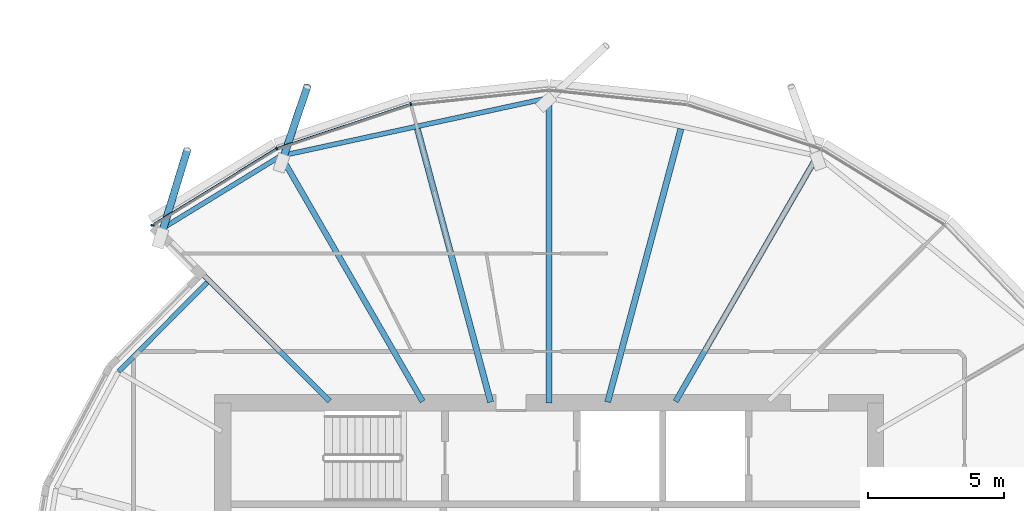
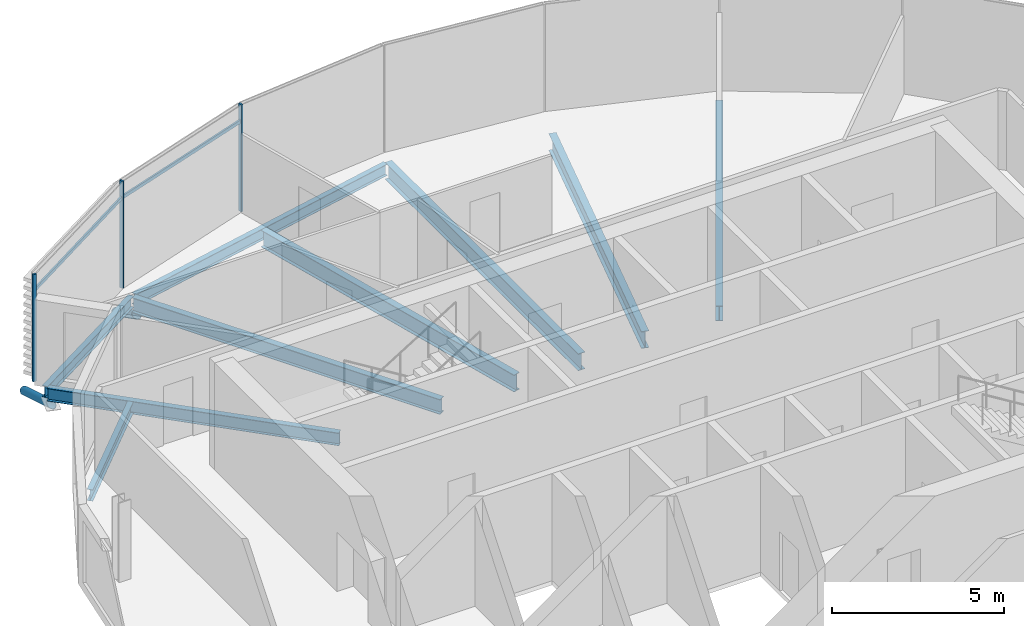
# One storey, part 10 of 36: 9 beams, 7 members, 1 element without a shape of its own.
"""IFC4 building model written with IfcOpenShell, lengths in metres."""

from ifc_helpers import new_model, si_unit, direction, frame, origin, origin_2d, place, context, subcontext, project, spatial, rectangle, hollow_circle, i_section, extrude, clip, halfspace, material, material_profile, profile_set, type_object, element, aggregate, save


model = new_model("IFC4")

# Units and contexts
model_context = context("Model", 3, precision=1e-05, world=origin(), true_north=direction((0.0, 1.0)))
body_context = subcontext(model_context, "Body", "Model", "MODEL_VIEW")
ifc_project = project(units=[si_unit("LENGTHUNIT", "METRE"), si_unit("AREAUNIT", "SQUARE_METRE"), si_unit("VOLUMEUNIT", "CUBIC_METRE"), si_unit("PLANEANGLEUNIT", "RADIAN"), si_unit("MASSUNIT", "GRAM", prefix="KILO")], contexts=[model_context])

# Site, building, storey
site_placement = place(None, origin())
site = spatial("IfcSite", under=ifc_project, at=site_placement, CompositionType="ELEMENT")
building_placement = place(site_placement, origin())
building = spatial("IfcBuilding", under=site, at=building_placement, Name="Rimbun Link Towers", CompositionType="ELEMENT")
storey_placement = place(building_placement, frame((0.0, 0.0, 189.300048828125)))
storey = spatial("IfcBuildingStorey", under=building, at=storey_placement, Name="L46", CompositionType="ELEMENT", Elevation=189.300048828125)

# Curtain wall, members
ifc_material_1 = material(Name="Aluminium 6063-T6 and low-iron glass", Category="aluminium")
curtain_wall_type = type_object("IfcCurtainWallType", Name="CW1-Z3 unitised vision wall (zone 3)", PredefinedType="NOTDEFINED", material=ifc_material_1)
curtain_wall_placement = place(storey_placement, origin())
curtain_wall = element("IfcCurtainWall", 1, at=curtain_wall_placement, inside=storey, type_object=curtain_wall_type, Name="CW1 L46 T1", PredefinedType="NOTDEFINED")
ifc_material_2 = material(Name="Aluminium 6063-T6", Category="aluminium")
ifc_material_profile_1 = material_profile(ifc_material_2, rectangle(XDim=0.1201171875, YDim=0.06005859375, at=origin_2d()), Name="MULLION 60X120")
ifc_profile_set_1 = profile_set([ifc_material_profile_1], Name="Aluminium 6063-T6")
member_type_1 = type_object("IfcMemberType", Name="CW1 mullion 60X120", PredefinedType="MULLION", material=ifc_profile_set_1)
member_1_placement = place(storey_placement, frame((-36.835205078125, 18.989501953125, 0.0), z_axis=(0.0, 0.0, 1.0), x_axis=(-0.210876961602, 0.977512612228, 0.0)))
member_1 = element("IfcMember", 2, at=member_1_placement, type_object=member_type_1, Name="CW1 mullion", PredefinedType="MULLION", context=body_context, shape_type="SweptSolid", body=[
    extrude(rectangle(XDim=0.1201171875, YDim=0.06005859375, at=origin_2d()), origin(), (0.0, 0.0, 1.0), 3.800048828125),
])
member_2_placement = place(storey_placement, frame((-41.764404296875, 17.35595703125, 0.0), z_axis=(0.0, 0.0, 1.0), x_axis=(-0.421700764408, 0.90673505794, 0.0)))
member_2 = element("IfcMember", 3, at=member_2_placement, type_object=member_type_1, Name="CW1 mullion", PredefinedType="MULLION", context=body_context, shape_type="SweptSolid", body=[
    extrude(rectangle(XDim=0.1201171875, YDim=0.06005859375, at=origin_2d()), origin(), (0.0, 0.0, 1.0), 3.800048828125),
])
member_3_placement = place(storey_placement, frame((-46.329345703125, 14.52685546875, 0.0), z_axis=(0.0, 0.0, 1.0), x_axis=(-0.993119103742, 0.117108692178, 0.0)))
member_3 = element("IfcMember", 4, at=member_3_placement, type_object=member_type_1, Name="CW1 mullion", PredefinedType="MULLION", context=body_context, shape_type="SweptSolid", body=[
    extrude(rectangle(XDim=0.1201171875, YDim=0.06005859375, at=origin_2d()), origin(), (0.0, 0.0, 1.0), 3.800048828125),
])
ifc_material_3 = material(Name="Aluminium 6063-T6", Category="aluminium")
ifc_material_profile_2 = material_profile(ifc_material_3, rectangle(XDim=0.06005859375, YDim=0.1201171875, at=origin_2d()), Name="TRANSOM 60X120")
ifc_profile_set_2 = profile_set([ifc_material_profile_2], Name="Aluminium 6063-T6")
member_type_2 = type_object("IfcMemberType", Name="CW1 transom 60X120", PredefinedType="USERDEFINED", material=ifc_profile_set_2)
member_4_placement = place(storey_placement, frame((-41.728759765625, 17.3662109375, 3.199951171875), z_axis=(0.949239776914, 0.31455340711, 0.0), x_axis=(-0.31455340711, 0.949239776914, 0.0)))
member_4 = element("IfcMember", 5, at=member_4_placement, type_object=member_type_2, Name="CW1 transom", ObjectType="TRANSOM", PredefinedType="USERDEFINED", context=body_context, shape_type="SweptSolid", body=[
    extrude(rectangle(XDim=0.06005859375, YDim=0.1201171875, at=origin_2d()), origin(), (0.0, 0.0, 1.0), 5.119384765625),
])
member_5_placement = place(storey_placement, frame((-46.274658203125, 14.5849609375, 3.199951171875), z_axis=(0.852190481414, 0.523231672768, 0.0), x_axis=(-0.523231672768, 0.852190481414, 0.0)))
member_5 = element("IfcMember", 6, at=member_5_placement, type_object=member_type_2, Name="CW1 transom", ObjectType="TRANSOM", PredefinedType="USERDEFINED", context=body_context, shape_type="SweptSolid", body=[
    extrude(rectangle(XDim=0.06005859375, YDim=0.1201171875, at=origin_2d()), origin(), (0.0, 0.0, 1.0), 5.2568359375),
])
aggregate(curtain_wall, [member_1, member_2, member_3, member_4, member_5])

# Members
ifc_material_4 = material(Name="Steel S355J2H", Category="steel")
ifc_material_profile_3 = material_profile(ifc_material_4, hollow_circle(Radius=0.136474609375, WallThickness=0.012451171875, at=origin_2d()), Name="CHS 273x12.5")
ifc_profile_set_3 = profile_set([ifc_material_profile_3], Name="Steel S355J2H")
member_type_3 = type_object("IfcMemberType", Name="Floor edge link CHS 273x12.5", PredefinedType="BRACE", material=ifc_profile_set_3)
member_6_placement = place(storey_placement, frame((-41.54150390625, 16.959228515625, -0.7978515625), z_axis=(0.268972915875, 0.79514260331, -0.54350879563), x_axis=(-0.947271043881, 0.32043340872, 0.0)))
element("IfcMember", 7, at=member_6_placement, inside=storey, type_object=member_type_3, Name="Floor edge link T1 L46 08", PredefinedType="BRACE", context=body_context, shape_type="Clipping", body=[
    clip(extrude(hollow_circle(Radius=0.136474609375, WallThickness=0.012451171875, at=origin_2d()), frame((0.0, 0.0, -0.43994140625)), (0.0, 0.0, 1.0), 3.8193359375), halfspace(frame((0.0, 0.0, -0.207275390625), z_axis=(0.0, 0.839403472159, -0.54350879563)), False)),
])
member_7_placement = place(storey_placement, frame((-45.9873046875, 14.2373046875, -0.7236328125), z_axis=(0.256471999063, 0.839332696596, -0.479314863239), x_axis=(-0.956348631729, 0.292228155027, 0.0)))
element("IfcMember", 8, at=member_7_placement, inside=storey, type_object=member_type_3, Name="Floor edge link T1 L46 09", PredefinedType="BRACE", context=body_context, shape_type="Clipping", body=[
    clip(extrude(hollow_circle(Radius=0.136474609375, WallThickness=0.012451171875, at=origin_2d()), frame((0.0, 0.0, -0.520751953125)), (0.0, 0.0, 1.0), 4.194091796875), halfspace(frame((0.0, 0.0, -0.24658203125), z_axis=(0.0, 0.877643015057, -0.479314863239)), False)),
])

# Beams
ifc_material_5 = material(Name="Steel S355J2", Category="steel")
ifc_material_profile_4 = material_profile(ifc_material_5, i_section(OverallWidth=0.177978515625, OverallDepth=0.406494140625, WebThickness=0.0078125, FlangeThickness=0.0126953125, at=origin_2d()), Name="UB 406x178x60")
ifc_profile_set_4 = profile_set([ifc_material_profile_4], Name="Steel S355J2")
beam_type_1 = type_object("IfcBeamType", Name="UB 406x178x60", PredefinedType="BEAM", material=ifc_profile_set_4)
beam_1_placement = place(storey_placement, frame((-31.86474609375, 19.18896484375, -0.353271484375), z_axis=(-0.977392598687, -0.211432514129, 0.0), x_axis=(0.211432514129, -0.977392598687, 0.0)))
element("IfcBeam", 9, at=beam_1_placement, inside=storey, type_object=beam_type_1, Name="Edge beam T1 L46 06-08", PredefinedType="BEAM", context=body_context, shape_type="SweptSolid", body=[
    extrude(i_section(OverallWidth=0.177978515625, OverallDepth=0.406494140625, WebThickness=0.0078125, FlangeThickness=0.0126953125, at=origin_2d()), origin(), (0.0, 0.0, 1.0), 9.861083984375),
])
beam_2_placement = place(storey_placement, frame((-41.6123046875, 17.080078125, -0.353271484375), z_axis=(-0.852702866932, -0.522396229624, 0.0), x_axis=(0.522396229624, -0.852702866932, 0.0)))
element("IfcBeam", 10, at=beam_2_placement, inside=storey, type_object=beam_type_1, Name="Edge beam T1 L46 08", PredefinedType="BEAM", context=body_context, shape_type="SweptSolid", body=[
    extrude(i_section(OverallWidth=0.177978515625, OverallDepth=0.406494140625, WebThickness=0.0078125, FlangeThickness=0.0126953125, at=origin_2d()), origin(), (0.0, 0.0, 1.0), 5.247802734375),
])
beam_3_placement = place(storey_placement, frame((-44.316650390625, 12.430419921875, -0.353271484375), z_axis=(-0.704407222638, -0.709796072612, 0.0), x_axis=(0.709796072612, -0.704407222638, 0.0)))
element("IfcBeam", 11, at=beam_3_placement, inside=storey, type_object=beam_type_1, Name="Edge beam T1 L46 09 recess", PredefinedType="BEAM", context=body_context, shape_type="SweptSolid", body=[
    extrude(i_section(OverallWidth=0.177978515625, OverallDepth=0.406494140625, WebThickness=0.0078125, FlangeThickness=0.0126953125, at=origin_2d()), origin(), (0.0, 0.0, 1.0), 4.62109375),
])
ifc_material_6 = material(Name="Steel S355J2", Category="steel")
ifc_material_profile_5 = material_profile(ifc_material_6, i_section(OverallWidth=0.18994140625, OverallDepth=0.453369140625, WebThickness=0.008544921875, FlangeThickness=0.0126953125, at=origin_2d()), Name="UB 457x191x67")
ifc_profile_set_5 = profile_set([ifc_material_profile_5], Name="Steel S355J2")
beam_type_2 = type_object("IfcBeamType", Name="UB 457x191x67", PredefinedType="BEAM", material=ifc_profile_set_5)
beam_4_placement = place(storey_placement, frame((-39.81787109375, 8.06787109375, -0.376708984375), z_axis=(-0.707106781187, 0.707106781187, 0.0), x_axis=(-0.707106781187, -0.707106781187, 0.0)))
element("IfcBeam", 12, at=beam_4_placement, inside=storey, type_object=beam_type_2, Name="Radial beam T1 L46 09", PredefinedType="BEAM", context=body_context, shape_type="SweptSolid", body=[
    extrude(i_section(OverallWidth=0.18994140625, OverallDepth=0.453369140625, WebThickness=0.008544921875, FlangeThickness=0.0126953125, at=origin_2d()), origin(), (0.0, 0.0, 1.0), 8.77490234375),
])
ifc_material_7 = material(Name="Steel S355J2", Category="steel")
ifc_material_profile_6 = material_profile(ifc_material_7, i_section(OverallWidth=0.209228515625, OverallDepth=0.533203125, WebThickness=0.010009765625, FlangeThickness=0.015625, at=origin_2d()), Name="UB 533x210x92")
ifc_profile_set_6 = profile_set([ifc_material_profile_6], Name="Steel S355J2")
beam_type_3 = type_object("IfcBeamType", Name="UB 533x210x92", PredefinedType="BEAM", material=ifc_profile_set_6)
beam_5_placement = place(storey_placement, frame((-27.1005859375, 8.05322265625, -0.41650390625), z_axis=(0.499998180979, 0.866026453994, 0.0), x_axis=(-0.866026453994, 0.499998180979, 0.0)))
element("IfcBeam", 13, at=beam_5_placement, inside=storey, type_object=beam_type_3, Name="Radial beam T1 L46 04", PredefinedType="BEAM", context=body_context, shape_type="SweptSolid", body=[
    extrude(i_section(OverallWidth=0.209228515625, OverallDepth=0.533203125, WebThickness=0.010009765625, FlangeThickness=0.015625, at=origin_2d()), origin(), (0.0, 0.0, 1.0), 10.423828125),
])
beam_6_placement = place(storey_placement, frame((-36.3994140625, 8.05322265625, -0.41650390625), z_axis=(-0.500001261266, 0.866024675591, 0.0), x_axis=(-0.866024675591, -0.500001261266, 0.0)))
element("IfcBeam", 14, at=beam_6_placement, inside=storey, type_object=beam_type_3, Name="Radial beam T1 L46 08", PredefinedType="BEAM", context=body_context, shape_type="SweptSolid", body=[
    extrude(i_section(OverallWidth=0.209228515625, OverallDepth=0.533203125, WebThickness=0.010009765625, FlangeThickness=0.015625, at=origin_2d()), origin(), (0.0, 0.0, 1.0), 10.333984375),
])
ifc_material_8 = material(Name="Steel S355J2", Category="steel")
ifc_material_profile_7 = material_profile(ifc_material_8, i_section(OverallWidth=0.2275390625, OverallDepth=0.6025390625, WebThickness=0.010498046875, FlangeThickness=0.014892578125, at=origin_2d()), Name="UB 610x229x101")
ifc_profile_set_7 = profile_set([ifc_material_profile_7], Name="Steel S355J2")
beam_type_4 = type_object("IfcBeamType", Name="UB 610x229x101", PredefinedType="BEAM", material=ifc_profile_set_7)
beam_7_placement = place(storey_placement, frame((-29.598388671875, 8.030517578125, -0.451416015625), z_axis=(0.258837406585, 0.965920906158, 0.0), x_axis=(-0.965920906158, 0.258837406585, 0.0)))
element("IfcBeam", 15, at=beam_7_placement, inside=storey, type_object=beam_type_4, Name="Radial beam T1 L46 05", PredefinedType="BEAM", context=body_context, shape_type="SweptSolid", body=[
    extrude(i_section(OverallWidth=0.2275390625, OverallDepth=0.6025390625, WebThickness=0.010498046875, FlangeThickness=0.014892578125, at=origin_2d()), origin(), (0.0, 0.0, 1.0), 10.39794921875),
])
beam_8_placement = place(storey_placement, frame((-31.75, 8.0009765625, -0.451416015625), z_axis=(0.0, 1.0, 0.0), x_axis=(-1.0, 0.0, 0.0)))
element("IfcBeam", 16, at=beam_8_placement, inside=storey, type_object=beam_type_4, Name="Radial beam T1 L46 06", PredefinedType="BEAM", context=body_context, shape_type="SweptSolid", body=[
    extrude(i_section(OverallWidth=0.2275390625, OverallDepth=0.6025390625, WebThickness=0.010498046875, FlangeThickness=0.014892578125, at=origin_2d()), origin(), (0.0, 0.0, 1.0), 11.212890625),
])
beam_9_placement = place(storey_placement, frame((-33.901611328125, 8.030517578125, -0.451416015625), z_axis=(-0.258837406585, 0.965920906158, 0.0), x_axis=(-0.965920906158, -0.258837406585, 0.0)))
element("IfcBeam", 17, at=beam_9_placement, inside=storey, type_object=beam_type_4, Name="Radial beam T1 L46 07", PredefinedType="BEAM", context=body_context, shape_type="SweptSolid", body=[
    extrude(i_section(OverallWidth=0.2275390625, OverallDepth=0.6025390625, WebThickness=0.010498046875, FlangeThickness=0.014892578125, at=origin_2d()), origin(), (0.0, 0.0, 1.0), 10.39794921875),
])

save(model, "model.ifc")
